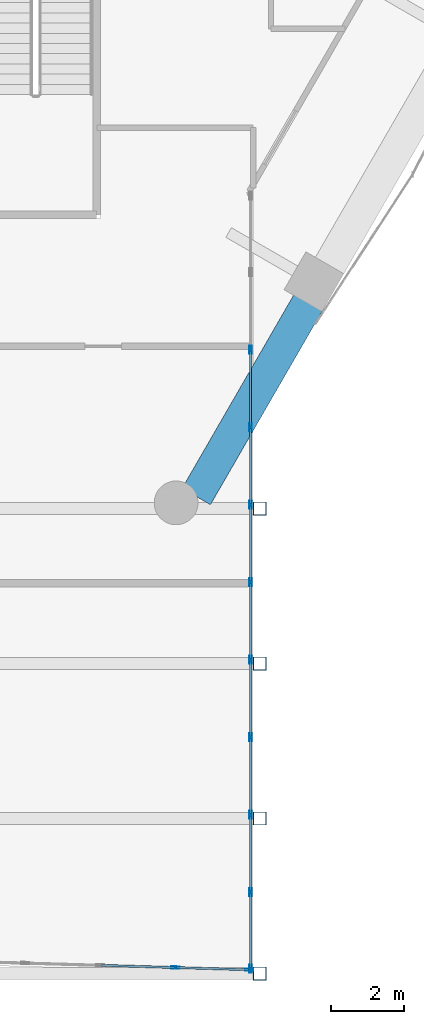
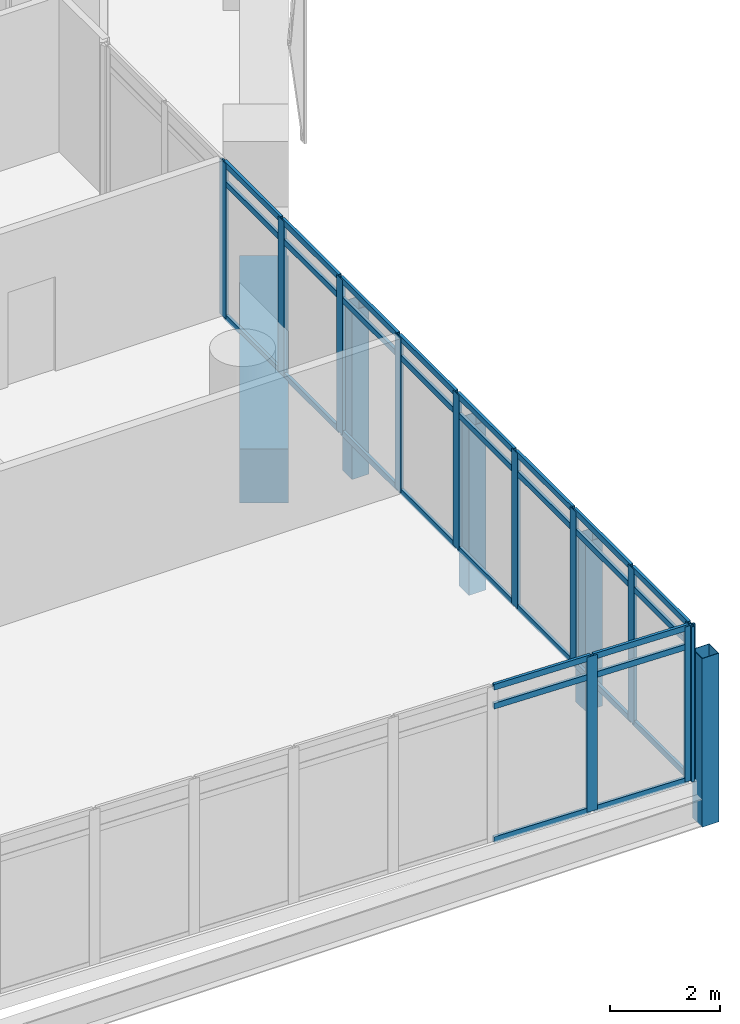
# One storey, part 12 of 38: 45 members, 1 beam, 2 elements without a shape of their own.
"""IFC4 building model written with IfcOpenShell, lengths in metres."""

from ifc_helpers import new_model, si_unit, direction, frame, origin, origin_2d, place, context, subcontext, project, spatial, rectangle, hollow_rectangle, extrude, material, material_profile, profile_set, type_object, element, aggregate, save


model = new_model("IFC4")

# Units and contexts
model_context = context("Model", 3, precision=1e-05, world=origin(), true_north=direction((0.0, 1.0)))
body_context = subcontext(model_context, "Body", "Model", "MODEL_VIEW")
ifc_project = project(units=[si_unit("LENGTHUNIT", "METRE"), si_unit("AREAUNIT", "SQUARE_METRE"), si_unit("VOLUMEUNIT", "CUBIC_METRE"), si_unit("PLANEANGLEUNIT", "RADIAN"), si_unit("MASSUNIT", "GRAM", prefix="KILO")], contexts=[model_context])

# Site, building, storey
site_placement = place(None, origin())
site = spatial("IfcSite", under=ifc_project, at=site_placement, CompositionType="ELEMENT")
building_placement = place(site_placement, origin())
building = spatial("IfcBuilding", under=site, at=building_placement, Name="Ostrander Bayou Hotel Tower", CompositionType="ELEMENT")
storey_placement = place(building_placement, frame((0.0, 0.0, 96.75)))
storey = spatial("IfcBuildingStorey", under=building, at=storey_placement, Name="L24", CompositionType="ELEMENT", Elevation=96.75)

# Curtain wall, members
ifc_material_1 = material(Name="Aluminium and clear glass", Category="aluminium")
curtain_wall_type = type_object("IfcCurtainWallType", Name="CW-BAR glazed wall", PredefinedType="NOTDEFINED", material=ifc_material_1)
curtain_wall_1_placement = place(storey_placement, origin())
curtain_wall_1 = element("IfcCurtainWall", 1, at=curtain_wall_1_placement, inside=storey, type_object=curtain_wall_type, Name="CW-BAR L24:SB2S:T", PredefinedType="NOTDEFINED")
ifc_material_2 = material(Name="Aluminium", Category="aluminium")
ifc_material_profile_1 = material_profile(ifc_material_2, hollow_rectangle(XDim=0.06005859375, YDim=0.219970703125, WallThickness=0.00390625, at=origin_2d()))
ifc_profile_set_1 = profile_set([ifc_material_profile_1], Name="Aluminium")
member_type_1 = type_object("IfcMemberType", Name="CW-BR mullion 60 x 220 mm", PredefinedType="MULLION", material=ifc_profile_set_1)
member_1_placement = place(storey_placement, frame((11.310791015625, -32.03662109375, 0.0), z_axis=(0.0, 0.0, 1.0), x_axis=(0.029746242041, 0.999557482631, 0.0)))
member_1 = element("IfcMember", 2, at=member_1_placement, type_object=member_type_1, Name="CW-BAR mullion 13", PredefinedType="MULLION", context=body_context, shape_type="SweptSolid", body=[
    extrude(hollow_rectangle(XDim=0.06005859375, YDim=0.219970703125, WallThickness=0.00390625, at=origin_2d()), origin(), (0.0, 0.0, 1.0), 3.449951171875),
])
member_2_placement = place(storey_placement, frame((13.337158203125, -32.096923828125, 0.0), z_axis=(0.0, 0.0, 1.0), x_axis=(0.029746242041, 0.999557482631, 0.0)))
member_2 = element("IfcMember", 3, at=member_2_placement, type_object=member_type_1, Name="CW-BAR mullion 14", PredefinedType="MULLION", context=body_context, shape_type="SweptSolid", body=[
    extrude(hollow_rectangle(XDim=0.06005859375, YDim=0.219970703125, WallThickness=0.00390625, at=origin_2d()), origin(), (0.0, 0.0, 1.0), 3.449951171875),
])

curtain_wall_2_placement = place(storey_placement, origin())
curtain_wall_2 = element("IfcCurtainWall", 4, at=curtain_wall_2_placement, inside=storey, type_object=curtain_wall_type, Name="CW-BAR L24:SB2S:W", PredefinedType="NOTDEFINED")
member_3_placement = place(storey_placement, frame((13.3671875, -15.097412109375, 0.0), z_axis=(0.0, 0.0, 1.0), x_axis=(1.0, 0.0, 0.0)))
member_3 = element("IfcMember", 5, at=member_3_placement, type_object=member_type_1, Name="CW-BAR mullion 3", PredefinedType="MULLION", context=body_context, shape_type="SweptSolid", body=[
    extrude(hollow_rectangle(XDim=0.06005859375, YDim=0.219970703125, WallThickness=0.00390625, at=origin_2d()), origin(), (0.0, 0.0, 1.0), 3.449951171875),
])
member_4_placement = place(storey_placement, frame((13.3671875, -17.222412109375, 0.0), z_axis=(0.0, 0.0, 1.0), x_axis=(1.0, 0.0, 0.0)))
member_4 = element("IfcMember", 6, at=member_4_placement, type_object=member_type_1, Name="CW-BAR mullion 4", PredefinedType="MULLION", context=body_context, shape_type="SweptSolid", body=[
    extrude(hollow_rectangle(XDim=0.06005859375, YDim=0.219970703125, WallThickness=0.00390625, at=origin_2d()), origin(), (0.0, 0.0, 1.0), 3.449951171875),
])
member_5_placement = place(storey_placement, frame((13.3671875, -19.347412109375, 0.0), z_axis=(0.0, 0.0, 1.0), x_axis=(1.0, 0.0, 0.0)))
member_5 = element("IfcMember", 7, at=member_5_placement, type_object=member_type_1, Name="CW-BAR mullion 5", PredefinedType="MULLION", context=body_context, shape_type="SweptSolid", body=[
    extrude(hollow_rectangle(XDim=0.06005859375, YDim=0.219970703125, WallThickness=0.00390625, at=origin_2d()), origin(), (0.0, 0.0, 1.0), 3.449951171875),
])
member_6_placement = place(storey_placement, frame((13.3671875, -21.47265625, 0.0), z_axis=(0.0, 0.0, 1.0), x_axis=(1.0, 0.0, 0.0)))
member_6 = element("IfcMember", 8, at=member_6_placement, type_object=member_type_1, Name="CW-BAR mullion 6", PredefinedType="MULLION", context=body_context, shape_type="SweptSolid", body=[
    extrude(hollow_rectangle(XDim=0.06005859375, YDim=0.219970703125, WallThickness=0.00390625, at=origin_2d()), origin(), (0.0, 0.0, 1.0), 3.449951171875),
])
member_7_placement = place(storey_placement, frame((13.3671875, -23.59765625, 0.0), z_axis=(0.0, 0.0, 1.0), x_axis=(1.0, 0.0, 0.0)))
member_7 = element("IfcMember", 9, at=member_7_placement, type_object=member_type_1, Name="CW-BAR mullion 7", PredefinedType="MULLION", context=body_context, shape_type="SweptSolid", body=[
    extrude(hollow_rectangle(XDim=0.06005859375, YDim=0.219970703125, WallThickness=0.00390625, at=origin_2d()), origin(), (0.0, 0.0, 1.0), 3.449951171875),
])
member_8_placement = place(storey_placement, frame((13.3671875, -25.72265625, 0.0), z_axis=(0.0, 0.0, 1.0), x_axis=(1.0, 0.0, 0.0)))
member_8 = element("IfcMember", 10, at=member_8_placement, type_object=member_type_1, Name="CW-BAR mullion 8", PredefinedType="MULLION", context=body_context, shape_type="SweptSolid", body=[
    extrude(hollow_rectangle(XDim=0.06005859375, YDim=0.219970703125, WallThickness=0.00390625, at=origin_2d()), origin(), (0.0, 0.0, 1.0), 3.449951171875),
])
member_9_placement = place(storey_placement, frame((13.3671875, -27.84765625, 0.0), z_axis=(0.0, 0.0, 1.0), x_axis=(1.0, 0.0, 0.0)))
member_9 = element("IfcMember", 11, at=member_9_placement, type_object=member_type_1, Name="CW-BAR mullion 9", PredefinedType="MULLION", context=body_context, shape_type="SweptSolid", body=[
    extrude(hollow_rectangle(XDim=0.06005859375, YDim=0.219970703125, WallThickness=0.00390625, at=origin_2d()), origin(), (0.0, 0.0, 1.0), 3.449951171875),
])
member_10_placement = place(storey_placement, frame((13.3671875, -29.97265625, 0.0), z_axis=(0.0, 0.0, 1.0), x_axis=(1.0, 0.0, 0.0)))
member_10 = element("IfcMember", 12, at=member_10_placement, type_object=member_type_1, Name="CW-BAR mullion 10", PredefinedType="MULLION", context=body_context, shape_type="SweptSolid", body=[
    extrude(hollow_rectangle(XDim=0.06005859375, YDim=0.219970703125, WallThickness=0.00390625, at=origin_2d()), origin(), (0.0, 0.0, 1.0), 3.449951171875),
])
member_11_placement = place(storey_placement, frame((13.3671875, -32.06787109375, 0.0), z_axis=(0.0, 0.0, 1.0), x_axis=(1.0, 0.0, 0.0)))
member_11 = element("IfcMember", 13, at=member_11_placement, type_object=member_type_1, Name="CW-BAR mullion 11", PredefinedType="MULLION", context=body_context, shape_type="SweptSolid", body=[
    extrude(hollow_rectangle(XDim=0.06005859375, YDim=0.219970703125, WallThickness=0.00390625, at=origin_2d()), origin(), (0.0, 0.0, 1.0), 3.449951171875),
])

# Member
ifc_material_3 = material(Name="Aluminium", Category="aluminium")
ifc_material_profile_2 = material_profile(ifc_material_3, hollow_rectangle(XDim=0.06005859375, YDim=0.1298828125, WallThickness=0.00390625, at=origin_2d()))
ifc_profile_set_2 = profile_set([ifc_material_profile_2], Name="Aluminium")
member_type_2 = type_object("IfcMemberType", Name="CW-BR transom 60 x 130 mm", PredefinedType="USERDEFINED", material=ifc_profile_set_2)
member_12_placement = place(storey_placement, frame((9.2841796875, -31.976318359375, 0.030029296875), z_axis=(0.999558835181, -0.029700757758, 0.0), x_axis=(0.029700757758, 0.999558835181, 0.0)))
member_12 = element("IfcMember", 14, at=member_12_placement, type_object=member_type_2, Name="CW-BAR transom 12.1", ObjectType="TRANSOM", PredefinedType="USERDEFINED", context=body_context, shape_type="SweptSolid", body=[
    extrude(hollow_rectangle(XDim=0.06005859375, YDim=0.1298828125, WallThickness=0.00390625, at=origin_2d()), origin(), (0.0, 0.0, 1.0), 1.99755859375),
])

member_13_placement = place(storey_placement, frame((9.2841796875, -31.976318359375, 3.0), z_axis=(0.999558835181, -0.029700757758, 0.0), x_axis=(0.029700757758, 0.999558835181, 0.0)))
member_13 = element("IfcMember", 15, at=member_13_placement, type_object=member_type_2, Name="CW-BAR transom 12.2", ObjectType="TRANSOM", PredefinedType="USERDEFINED", context=body_context, shape_type="SweptSolid", body=[
    extrude(hollow_rectangle(XDim=0.06005859375, YDim=0.1298828125, WallThickness=0.00390625, at=origin_2d()), origin(), (0.0, 0.0, 1.0), 1.99755859375),
])

member_14_placement = place(storey_placement, frame((9.2841796875, -31.976318359375, 3.419921875), z_axis=(0.999558835181, -0.029700757758, 0.0), x_axis=(0.029700757758, 0.999558835181, 0.0)))
member_14 = element("IfcMember", 16, at=member_14_placement, type_object=member_type_2, Name="CW-BAR transom 12.3", ObjectType="TRANSOM", PredefinedType="USERDEFINED", context=body_context, shape_type="SweptSolid", body=[
    extrude(hollow_rectangle(XDim=0.06005859375, YDim=0.1298828125, WallThickness=0.00390625, at=origin_2d()), origin(), (0.0, 0.0, 1.0), 1.99755859375),
])

member_15_placement = place(storey_placement, frame((11.340576171875, -32.03759765625, 0.030029296875), z_axis=(0.99956010596, -0.029657959693, 0.0), x_axis=(0.029657959693, 0.99956010596, 0.0)))
member_15 = element("IfcMember", 17, at=member_15_placement, type_object=member_type_2, Name="CW-BAR transom 13.1", ObjectType="TRANSOM", PredefinedType="USERDEFINED", context=body_context, shape_type="SweptSolid", body=[
    extrude(hollow_rectangle(XDim=0.06005859375, YDim=0.1298828125, WallThickness=0.00390625, at=origin_2d()), origin(), (0.0, 0.0, 1.0), 1.967529296875),
])

member_16_placement = place(storey_placement, frame((11.340576171875, -32.03759765625, 3.0), z_axis=(0.99956010596, -0.029657959693, 0.0), x_axis=(0.029657959693, 0.99956010596, 0.0)))
member_16 = element("IfcMember", 18, at=member_16_placement, type_object=member_type_2, Name="CW-BAR transom 13.2", ObjectType="TRANSOM", PredefinedType="USERDEFINED", context=body_context, shape_type="SweptSolid", body=[
    extrude(hollow_rectangle(XDim=0.06005859375, YDim=0.1298828125, WallThickness=0.00390625, at=origin_2d()), origin(), (0.0, 0.0, 1.0), 1.967529296875),
])

member_17_placement = place(storey_placement, frame((11.340576171875, -32.03759765625, 3.419921875), z_axis=(0.99956010596, -0.029657959693, 0.0), x_axis=(0.029657959693, 0.99956010596, 0.0)))
member_17 = element("IfcMember", 19, at=member_17_placement, type_object=member_type_2, Name="CW-BAR transom 13.3", ObjectType="TRANSOM", PredefinedType="USERDEFINED", context=body_context, shape_type="SweptSolid", body=[
    extrude(hollow_rectangle(XDim=0.06005859375, YDim=0.1298828125, WallThickness=0.00390625, at=origin_2d()), origin(), (0.0, 0.0, 1.0), 1.967529296875),
])

aggregate(curtain_wall_1, [member_1, member_2, member_12, member_13, member_14, member_15, member_16, member_17])

member_18_placement = place(storey_placement, frame((13.3671875, -15.12744140625, 0.030029296875), z_axis=(0.0, -1.0, 0.0), x_axis=(1.0, 0.0, 0.0)))
member_18 = element("IfcMember", 20, at=member_18_placement, type_object=member_type_2, Name="CW-BAR transom 3.1", ObjectType="TRANSOM", PredefinedType="USERDEFINED", context=body_context, shape_type="SweptSolid", body=[
    extrude(hollow_rectangle(XDim=0.06005859375, YDim=0.1298828125, WallThickness=0.00390625, at=origin_2d()), origin(), (0.0, 0.0, 1.0), 2.06494140625),
])

member_19_placement = place(storey_placement, frame((13.3671875, -15.12744140625, 3.0), z_axis=(0.0, -1.0, 0.0), x_axis=(1.0, 0.0, 0.0)))
member_19 = element("IfcMember", 21, at=member_19_placement, type_object=member_type_2, Name="CW-BAR transom 3.2", ObjectType="TRANSOM", PredefinedType="USERDEFINED", context=body_context, shape_type="SweptSolid", body=[
    extrude(hollow_rectangle(XDim=0.06005859375, YDim=0.1298828125, WallThickness=0.00390625, at=origin_2d()), origin(), (0.0, 0.0, 1.0), 2.06494140625),
])

member_20_placement = place(storey_placement, frame((13.3671875, -15.12744140625, 3.419921875), z_axis=(0.0, -1.0, 0.0), x_axis=(1.0, 0.0, 0.0)))
member_20 = element("IfcMember", 22, at=member_20_placement, type_object=member_type_2, Name="CW-BAR transom 3.3", ObjectType="TRANSOM", PredefinedType="USERDEFINED", context=body_context, shape_type="SweptSolid", body=[
    extrude(hollow_rectangle(XDim=0.06005859375, YDim=0.1298828125, WallThickness=0.00390625, at=origin_2d()), origin(), (0.0, 0.0, 1.0), 2.06494140625),
])

member_21_placement = place(storey_placement, frame((13.3671875, -17.25244140625, 0.030029296875), z_axis=(0.0, -1.0, 0.0), x_axis=(1.0, 0.0, 0.0)))
member_21 = element("IfcMember", 23, at=member_21_placement, type_object=member_type_2, Name="CW-BAR transom 4.1", ObjectType="TRANSOM", PredefinedType="USERDEFINED", context=body_context, shape_type="SweptSolid", body=[
    extrude(hollow_rectangle(XDim=0.06005859375, YDim=0.1298828125, WallThickness=0.00390625, at=origin_2d()), origin(), (0.0, 0.0, 1.0), 2.06494140625),
])

member_22_placement = place(storey_placement, frame((13.3671875, -17.25244140625, 3.0), z_axis=(0.0, -1.0, 0.0), x_axis=(1.0, 0.0, 0.0)))
member_22 = element("IfcMember", 24, at=member_22_placement, type_object=member_type_2, Name="CW-BAR transom 4.2", ObjectType="TRANSOM", PredefinedType="USERDEFINED", context=body_context, shape_type="SweptSolid", body=[
    extrude(hollow_rectangle(XDim=0.06005859375, YDim=0.1298828125, WallThickness=0.00390625, at=origin_2d()), origin(), (0.0, 0.0, 1.0), 2.06494140625),
])

member_23_placement = place(storey_placement, frame((13.3671875, -17.25244140625, 3.419921875), z_axis=(0.0, -1.0, 0.0), x_axis=(1.0, 0.0, 0.0)))
member_23 = element("IfcMember", 25, at=member_23_placement, type_object=member_type_2, Name="CW-BAR transom 4.3", ObjectType="TRANSOM", PredefinedType="USERDEFINED", context=body_context, shape_type="SweptSolid", body=[
    extrude(hollow_rectangle(XDim=0.06005859375, YDim=0.1298828125, WallThickness=0.00390625, at=origin_2d()), origin(), (0.0, 0.0, 1.0), 2.06494140625),
])

member_24_placement = place(storey_placement, frame((13.3671875, -19.37744140625, 0.030029296875), z_axis=(0.0, -1.0, 0.0), x_axis=(1.0, 0.0, 0.0)))
member_24 = element("IfcMember", 26, at=member_24_placement, type_object=member_type_2, Name="CW-BAR transom 5.1", ObjectType="TRANSOM", PredefinedType="USERDEFINED", context=body_context, shape_type="SweptSolid", body=[
    extrude(hollow_rectangle(XDim=0.06005859375, YDim=0.1298828125, WallThickness=0.00390625, at=origin_2d()), origin(), (0.0, 0.0, 1.0), 2.065185546875),
])

member_25_placement = place(storey_placement, frame((13.3671875, -19.37744140625, 3.0), z_axis=(0.0, -1.0, 0.0), x_axis=(1.0, 0.0, 0.0)))
member_25 = element("IfcMember", 27, at=member_25_placement, type_object=member_type_2, Name="CW-BAR transom 5.2", ObjectType="TRANSOM", PredefinedType="USERDEFINED", context=body_context, shape_type="SweptSolid", body=[
    extrude(hollow_rectangle(XDim=0.06005859375, YDim=0.1298828125, WallThickness=0.00390625, at=origin_2d()), origin(), (0.0, 0.0, 1.0), 2.065185546875),
])

member_26_placement = place(storey_placement, frame((13.3671875, -19.37744140625, 3.419921875), z_axis=(0.0, -1.0, 0.0), x_axis=(1.0, 0.0, 0.0)))
member_26 = element("IfcMember", 28, at=member_26_placement, type_object=member_type_2, Name="CW-BAR transom 5.3", ObjectType="TRANSOM", PredefinedType="USERDEFINED", context=body_context, shape_type="SweptSolid", body=[
    extrude(hollow_rectangle(XDim=0.06005859375, YDim=0.1298828125, WallThickness=0.00390625, at=origin_2d()), origin(), (0.0, 0.0, 1.0), 2.065185546875),
])

member_27_placement = place(storey_placement, frame((13.3671875, -21.50244140625, 0.030029296875), z_axis=(0.0, -1.0, 0.0), x_axis=(1.0, 0.0, 0.0)))
member_27 = element("IfcMember", 29, at=member_27_placement, type_object=member_type_2, Name="CW-BAR transom 6.1", ObjectType="TRANSOM", PredefinedType="USERDEFINED", context=body_context, shape_type="SweptSolid", body=[
    extrude(hollow_rectangle(XDim=0.06005859375, YDim=0.1298828125, WallThickness=0.00390625, at=origin_2d()), origin(), (0.0, 0.0, 1.0), 2.065185546875),
])

member_28_placement = place(storey_placement, frame((13.3671875, -21.50244140625, 3.0), z_axis=(0.0, -1.0, 0.0), x_axis=(1.0, 0.0, 0.0)))
member_28 = element("IfcMember", 30, at=member_28_placement, type_object=member_type_2, Name="CW-BAR transom 6.2", ObjectType="TRANSOM", PredefinedType="USERDEFINED", context=body_context, shape_type="SweptSolid", body=[
    extrude(hollow_rectangle(XDim=0.06005859375, YDim=0.1298828125, WallThickness=0.00390625, at=origin_2d()), origin(), (0.0, 0.0, 1.0), 2.065185546875),
])

member_29_placement = place(storey_placement, frame((13.3671875, -21.50244140625, 3.419921875), z_axis=(0.0, -1.0, 0.0), x_axis=(1.0, 0.0, 0.0)))
member_29 = element("IfcMember", 31, at=member_29_placement, type_object=member_type_2, Name="CW-BAR transom 6.3", ObjectType="TRANSOM", PredefinedType="USERDEFINED", context=body_context, shape_type="SweptSolid", body=[
    extrude(hollow_rectangle(XDim=0.06005859375, YDim=0.1298828125, WallThickness=0.00390625, at=origin_2d()), origin(), (0.0, 0.0, 1.0), 2.065185546875),
])

member_30_placement = place(storey_placement, frame((13.3671875, -23.627685546875, 0.030029296875), z_axis=(0.0, -1.0, 0.0), x_axis=(1.0, 0.0, 0.0)))
member_30 = element("IfcMember", 32, at=member_30_placement, type_object=member_type_2, Name="CW-BAR transom 7.1", ObjectType="TRANSOM", PredefinedType="USERDEFINED", context=body_context, shape_type="SweptSolid", body=[
    extrude(hollow_rectangle(XDim=0.06005859375, YDim=0.1298828125, WallThickness=0.00390625, at=origin_2d()), origin(), (0.0, 0.0, 1.0), 2.06494140625),
])

member_31_placement = place(storey_placement, frame((13.3671875, -23.627685546875, 3.0), z_axis=(0.0, -1.0, 0.0), x_axis=(1.0, 0.0, 0.0)))
member_31 = element("IfcMember", 33, at=member_31_placement, type_object=member_type_2, Name="CW-BAR transom 7.2", ObjectType="TRANSOM", PredefinedType="USERDEFINED", context=body_context, shape_type="SweptSolid", body=[
    extrude(hollow_rectangle(XDim=0.06005859375, YDim=0.1298828125, WallThickness=0.00390625, at=origin_2d()), origin(), (0.0, 0.0, 1.0), 2.06494140625),
])

member_32_placement = place(storey_placement, frame((13.3671875, -23.627685546875, 3.419921875), z_axis=(0.0, -1.0, 0.0), x_axis=(1.0, 0.0, 0.0)))
member_32 = element("IfcMember", 34, at=member_32_placement, type_object=member_type_2, Name="CW-BAR transom 7.3", ObjectType="TRANSOM", PredefinedType="USERDEFINED", context=body_context, shape_type="SweptSolid", body=[
    extrude(hollow_rectangle(XDim=0.06005859375, YDim=0.1298828125, WallThickness=0.00390625, at=origin_2d()), origin(), (0.0, 0.0, 1.0), 2.06494140625),
])

member_33_placement = place(storey_placement, frame((13.3671875, -25.752685546875, 0.030029296875), z_axis=(0.0, -1.0, 0.0), x_axis=(1.0, 0.0, 0.0)))
member_33 = element("IfcMember", 35, at=member_33_placement, type_object=member_type_2, Name="CW-BAR transom 8.1", ObjectType="TRANSOM", PredefinedType="USERDEFINED", context=body_context, shape_type="SweptSolid", body=[
    extrude(hollow_rectangle(XDim=0.06005859375, YDim=0.1298828125, WallThickness=0.00390625, at=origin_2d()), origin(), (0.0, 0.0, 1.0), 2.06494140625),
])

member_34_placement = place(storey_placement, frame((13.3671875, -25.752685546875, 3.0), z_axis=(0.0, -1.0, 0.0), x_axis=(1.0, 0.0, 0.0)))
member_34 = element("IfcMember", 36, at=member_34_placement, type_object=member_type_2, Name="CW-BAR transom 8.2", ObjectType="TRANSOM", PredefinedType="USERDEFINED", context=body_context, shape_type="SweptSolid", body=[
    extrude(hollow_rectangle(XDim=0.06005859375, YDim=0.1298828125, WallThickness=0.00390625, at=origin_2d()), origin(), (0.0, 0.0, 1.0), 2.06494140625),
])

member_35_placement = place(storey_placement, frame((13.3671875, -25.752685546875, 3.419921875), z_axis=(0.0, -1.0, 0.0), x_axis=(1.0, 0.0, 0.0)))
member_35 = element("IfcMember", 37, at=member_35_placement, type_object=member_type_2, Name="CW-BAR transom 8.3", ObjectType="TRANSOM", PredefinedType="USERDEFINED", context=body_context, shape_type="SweptSolid", body=[
    extrude(hollow_rectangle(XDim=0.06005859375, YDim=0.1298828125, WallThickness=0.00390625, at=origin_2d()), origin(), (0.0, 0.0, 1.0), 2.06494140625),
])

member_36_placement = place(storey_placement, frame((13.3671875, -27.877685546875, 0.030029296875), z_axis=(0.0, -1.0, 0.0), x_axis=(1.0, 0.0, 0.0)))
member_36 = element("IfcMember", 38, at=member_36_placement, type_object=member_type_2, Name="CW-BAR transom 9.1", ObjectType="TRANSOM", PredefinedType="USERDEFINED", context=body_context, shape_type="SweptSolid", body=[
    extrude(hollow_rectangle(XDim=0.06005859375, YDim=0.1298828125, WallThickness=0.00390625, at=origin_2d()), origin(), (0.0, 0.0, 1.0), 2.065185546875),
])

member_37_placement = place(storey_placement, frame((13.3671875, -27.877685546875, 3.0), z_axis=(0.0, -1.0, 0.0), x_axis=(1.0, 0.0, 0.0)))
member_37 = element("IfcMember", 39, at=member_37_placement, type_object=member_type_2, Name="CW-BAR transom 9.2", ObjectType="TRANSOM", PredefinedType="USERDEFINED", context=body_context, shape_type="SweptSolid", body=[
    extrude(hollow_rectangle(XDim=0.06005859375, YDim=0.1298828125, WallThickness=0.00390625, at=origin_2d()), origin(), (0.0, 0.0, 1.0), 2.065185546875),
])

member_38_placement = place(storey_placement, frame((13.3671875, -27.877685546875, 3.419921875), z_axis=(0.0, -1.0, 0.0), x_axis=(1.0, 0.0, 0.0)))
member_38 = element("IfcMember", 40, at=member_38_placement, type_object=member_type_2, Name="CW-BAR transom 9.3", ObjectType="TRANSOM", PredefinedType="USERDEFINED", context=body_context, shape_type="SweptSolid", body=[
    extrude(hollow_rectangle(XDim=0.06005859375, YDim=0.1298828125, WallThickness=0.00390625, at=origin_2d()), origin(), (0.0, 0.0, 1.0), 2.065185546875),
])

member_39_placement = place(storey_placement, frame((13.3671875, -30.002685546875, 0.030029296875), z_axis=(0.0, -1.0, 0.0), x_axis=(1.0, 0.0, 0.0)))
member_39 = element("IfcMember", 41, at=member_39_placement, type_object=member_type_2, Name="CW-BAR transom 10.1", ObjectType="TRANSOM", PredefinedType="USERDEFINED", context=body_context, shape_type="SweptSolid", body=[
    extrude(hollow_rectangle(XDim=0.06005859375, YDim=0.1298828125, WallThickness=0.00390625, at=origin_2d()), origin(), (0.0, 0.0, 1.0), 2.03515625),
])

member_40_placement = place(storey_placement, frame((13.3671875, -30.002685546875, 3.0), z_axis=(0.0, -1.0, 0.0), x_axis=(1.0, 0.0, 0.0)))
member_40 = element("IfcMember", 42, at=member_40_placement, type_object=member_type_2, Name="CW-BAR transom 10.2", ObjectType="TRANSOM", PredefinedType="USERDEFINED", context=body_context, shape_type="SweptSolid", body=[
    extrude(hollow_rectangle(XDim=0.06005859375, YDim=0.1298828125, WallThickness=0.00390625, at=origin_2d()), origin(), (0.0, 0.0, 1.0), 2.03515625),
])

member_41_placement = place(storey_placement, frame((13.3671875, -30.002685546875, 3.419921875), z_axis=(0.0, -1.0, 0.0), x_axis=(1.0, 0.0, 0.0)))
member_41 = element("IfcMember", 43, at=member_41_placement, type_object=member_type_2, Name="CW-BAR transom 10.3", ObjectType="TRANSOM", PredefinedType="USERDEFINED", context=body_context, shape_type="SweptSolid", body=[
    extrude(hollow_rectangle(XDim=0.06005859375, YDim=0.1298828125, WallThickness=0.00390625, at=origin_2d()), origin(), (0.0, 0.0, 1.0), 2.03515625),
])

aggregate(curtain_wall_2, [member_3, member_4, member_5, member_6, member_7, member_8, member_9, member_10, member_11, member_18, member_19, member_20, member_21, member_22, member_23, member_24, member_25, member_26, member_27, member_28, member_29, member_30, member_31, member_32, member_33, member_34, member_35, member_36, member_37, member_38, member_39, member_40, member_41])

# Beam
ifc_material_4 = material(Name="Concrete f'c 70 MPa", Category="concrete")
ifc_material_profile_3 = material_profile(ifc_material_4, rectangle(XDim=0.89990234375, YDim=1.199951171875, at=origin_2d()))
ifc_profile_set_3 = profile_set([ifc_material_profile_3], Name="Concrete f'c 70 MPa")
beam_type = type_object("IfcBeamType", Name="SP2 spandrel beam 900 x 1200 mm f'c 70 MPa", PredefinedType="SPANDREL", material=ifc_profile_set_3)
beam_placement = place(storey_placement, frame((11.88037109375, -19.122802734375, -0.60009765625), z_axis=(0.499976998774, 0.866038683141, 0.0), x_axis=(-0.866038683141, 0.499976998774, 0.0)))
element("IfcBeam", 44, at=beam_placement, inside=storey, type_object=beam_type, Name="SP2 L24 SE-1", PredefinedType="SPANDREL", context=body_context, shape_type="SweptSolid", body=[
    extrude(rectangle(XDim=0.89990234375, YDim=1.199951171875, at=origin_2d()), origin(), (0.0, 0.0, 1.0), 6.143798828125),
])

# Members
ifc_material_5 = material(Name="Steel ASTM A500 Gr C", Category="steel")
ifc_material_profile_4 = material_profile(ifc_material_5, hollow_rectangle(XDim=0.355712890625, YDim=0.355712890625, WallThickness=0.01171875, at=origin_2d()))
ifc_profile_set_4 = profile_set([ifc_material_profile_4], Name="Steel ASTM A500 Gr C")
member_type_3 = type_object("IfcMemberType", Name="TH2 bar hanger HSS14x14x1/2", PredefinedType="POST", material=ifc_profile_set_4)
for number, where, z_axis, x_axis, name in (
    (45, (13.6201171875, -19.450927734375, -0.921875), (0.0, 0.0, 1.0), (1.0, 0.0, 0.0), "TH2 SB2SB H1-2"),
    (46, (13.6201171875, -23.70068359375, -0.921875), (0.0, 0.0, 1.0), (1.0, 0.0, 0.0), "TH2 SB2SB H2-2"),
    (47, (13.6201171875, -27.9501953125, -0.921875), (0.0, 0.0, 1.0), (1.0, 0.0, 0.0), "TH2 SB2SB H3-2"),
    (48, (13.6201171875, -32.199951171875, -0.921875), (0.0, 0.0, 1.0), (1.0, 0.0, 0.0), "TH2 SB2SB H4-2"),
):
    element("IfcMember", number, at=place(storey_placement, frame(where, z_axis=z_axis, x_axis=x_axis)), inside=storey, type_object=member_type_3, Name=name, PredefinedType="POST", context=body_context, shape_type="SweptSolid", body=[
        extrude(hollow_rectangle(XDim=0.355712890625, YDim=0.355712890625, WallThickness=0.01171875, at=origin_2d()), origin(), (0.0, 0.0, 1.0), 3.75),
    ])

save(model, "model.ifc")
